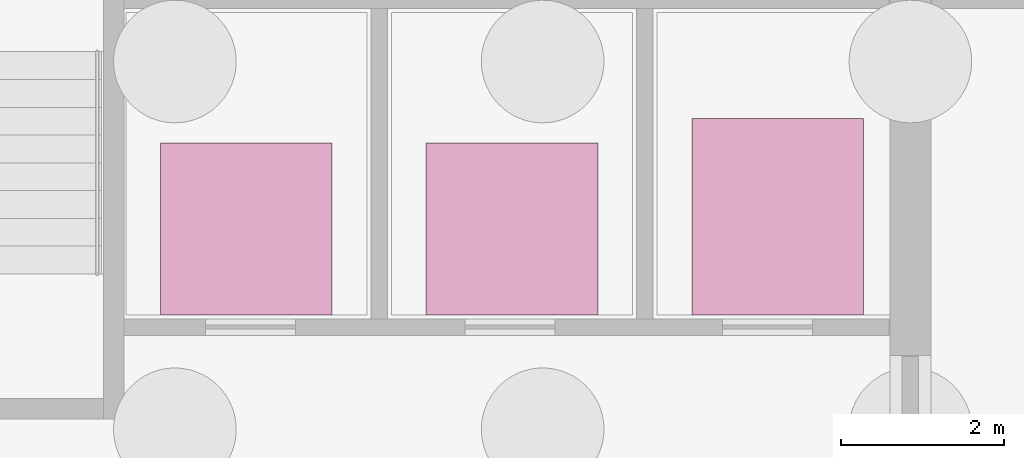
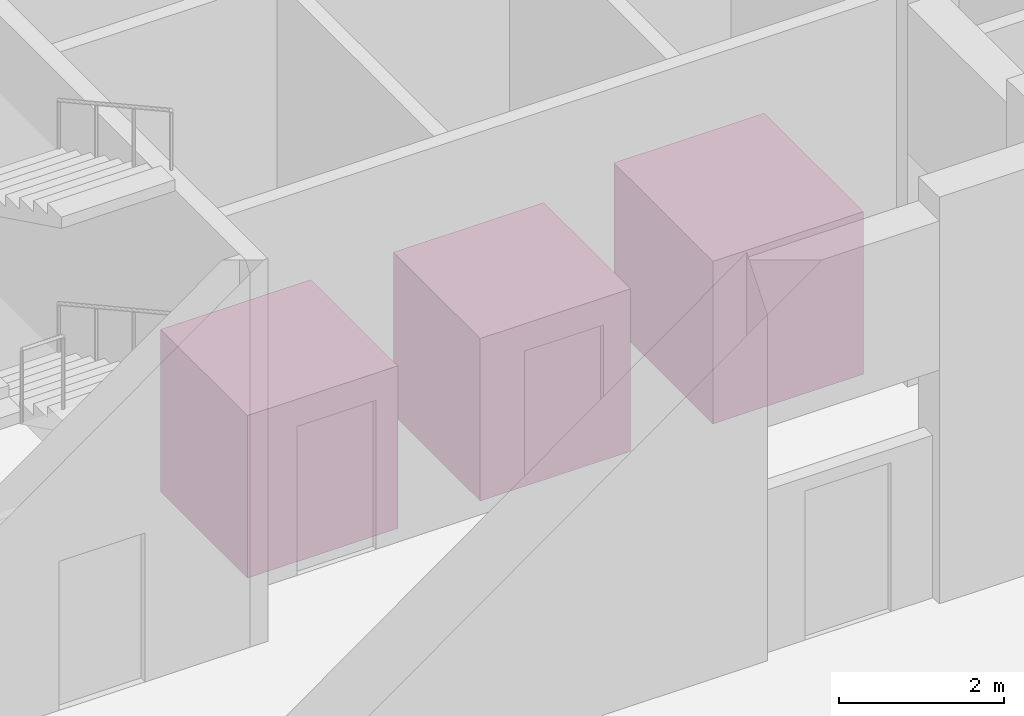
# One storey, part 9 of 9: 3 transport elements.
"""IFC4 building model written with IfcOpenShell, lengths in metres."""

from ifc_helpers import new_model, si_unit, direction, frame, origin, origin_2d, place, context, subcontext, project, spatial, rectangle, extrude, material, type_object, element, save


model = new_model("IFC4")

# Units and contexts
model_context = context("Model", 3, precision=1e-05, world=origin(), true_north=direction((0.0, 1.0)))
body_context = subcontext(model_context, "Body", "Model", "MODEL_VIEW")
ifc_project = project(units=[si_unit("LENGTHUNIT", "METRE"), si_unit("AREAUNIT", "SQUARE_METRE"), si_unit("VOLUMEUNIT", "CUBIC_METRE"), si_unit("PLANEANGLEUNIT", "RADIAN"), si_unit("MASSUNIT", "GRAM", prefix="KILO")], contexts=[model_context])

# Site, building, storey
site_placement = place(None, origin())
site = spatial("IfcSite", under=ifc_project, at=site_placement, CompositionType="ELEMENT")
building_placement = place(site_placement, origin())
building = spatial("IfcBuilding", under=site, at=building_placement, Name="Pilkhan Gate Tower", CompositionType="ELEMENT")
storey_placement = place(building_placement, frame((0.0, 0.0, -6.0)))
storey = spatial("IfcBuildingStorey", under=building, at=storey_placement, Name="B1", CompositionType="ELEMENT", Elevation=-6.0)

# Transport elements
ifc_material = material(Name="Steel lift car, stainless steel lining", Category="steel")
transport_element_type_1 = type_object("IfcTransportElementType", Name="Firefighting lift FL1", PredefinedType="ELEVATOR", material=ifc_material)
for number, where, z_axis, x_axis, name in (
    (1, (66.875, 87.949951171875, 0.0), (0.0, 0.0, 1.0), (1.0, 0.0, 0.0), "Firefighting and service lift FF1"),
    (2, (70.125, 87.949951171875, 0.0), (0.0, 0.0, 1.0), (1.0, 0.0, 0.0), "Firefighting and service lift FF2"),
):
    element("IfcTransportElement", number, at=place(storey_placement, frame(where, z_axis=z_axis, x_axis=x_axis)), inside=storey, type_object=transport_element_type_1, Name=name, PredefinedType="ELEVATOR", context=body_context, shape_type="SweptSolid", body=[
        extrude(rectangle(XDim=2.10009765625, YDim=2.10009765625, at=origin_2d()), origin(), (0.0, 0.0, 1.0), 2.39990234375),
    ])
transport_element_type_2 = type_object("IfcTransportElementType", Name="Service lift SV1", PredefinedType="ELEVATOR", material=ifc_material)
transport_element_placement = place(storey_placement, frame((73.375, 88.10009765625, 0.0), z_axis=(0.0, 0.0, 1.0), x_axis=(1.0, 0.0, 0.0)))
element("IfcTransportElement", 3, at=transport_element_placement, inside=storey, type_object=transport_element_type_2, Name="Service lift SV1", PredefinedType="ELEVATOR", context=body_context, shape_type="SweptSolid", body=[
    extrude(rectangle(XDim=2.10009765625, YDim=2.39990234375, at=origin_2d()), origin(), (0.0, 0.0, 1.0), 2.39990234375),
])

save(model, "model.ifc")
